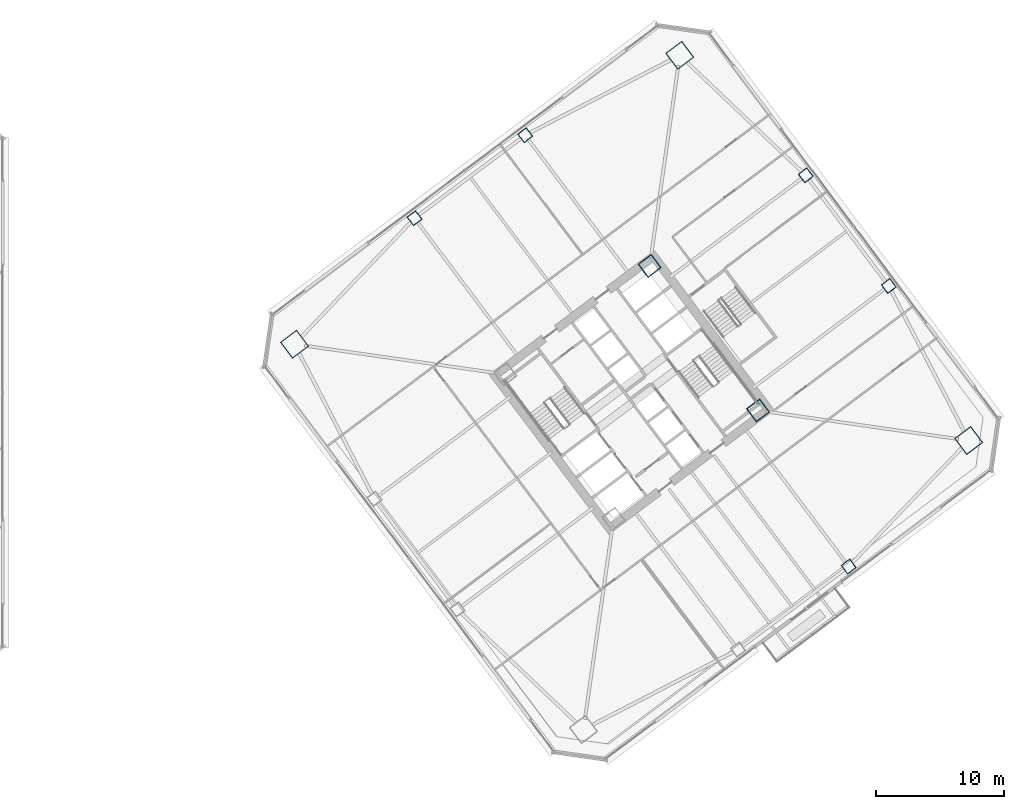
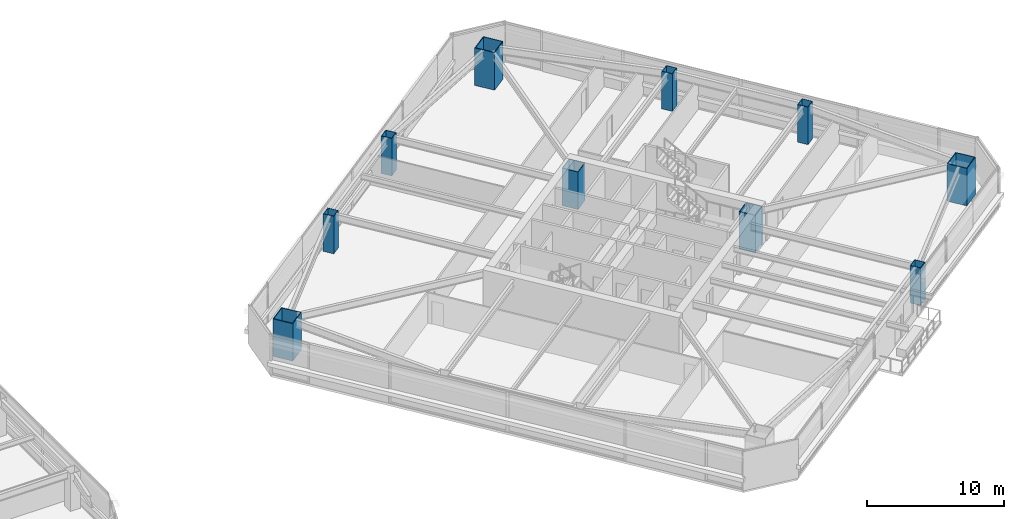
# One storey, part 2 of 51: 10 columns.
"""IFC4 building model written with IfcOpenShell, lengths in metres."""

from ifc_helpers import new_model, si_unit, direction, frame, origin, origin_2d, place, context, subcontext, project, spatial, hollow_rectangle, extrude, material, material_profile, profile_set, type_object, element, save


model = new_model("IFC4")

# Units and contexts
model_context = context("Model", 3, precision=1e-05, world=origin(), true_north=direction((0.0, 1.0)))
body_context = subcontext(model_context, "Body", "Model", "MODEL_VIEW")
ifc_project = project(units=[si_unit("LENGTHUNIT", "METRE"), si_unit("AREAUNIT", "SQUARE_METRE"), si_unit("VOLUMEUNIT", "CUBIC_METRE"), si_unit("PLANEANGLEUNIT", "RADIAN"), si_unit("MASSUNIT", "GRAM", prefix="KILO")], contexts=[model_context])

# Site, building, storey
site_placement = place(None, origin())
site = spatial("IfcSite", under=ifc_project, at=site_placement, CompositionType="ELEMENT")
building_placement = place(site_placement, origin())
building = spatial("IfcBuilding", under=site, at=building_placement, Name="Tashvorn Skyway Center", CompositionType="ELEMENT")
storey_placement = place(building_placement, frame((0.0, 0.0, 49.449951171875)))
storey = spatial("IfcBuildingStorey", under=building, at=storey_placement, Name="L12", CompositionType="ELEMENT", Elevation=49.449951171875)

# Columns
ifc_material = material(Name="Steel ASTM A572 Grade 50", Category="steel")
ifc_material_profile_1 = material_profile(ifc_material, hollow_rectangle(XDim=1.300048828125, YDim=1.300048828125, WallThickness=0.050048828125, at=origin_2d()), Name="BOX1300x1300x50")
ifc_profile_set_1 = profile_set([ifc_material_profile_1], Name="Steel ASTM A572 Grade 50")
column_type_1 = type_object("IfcColumnType", Name="COL-BOX1300x1300x50", PredefinedType="COLUMN", material=ifc_profile_set_1)
for number, where, z_axis, x_axis, name in (
    (1, (123.8701171875, 30.590087890625, 0.0), (0.0, 0.0, 1.0), (0.799999996291, 0.600000004945, 0.0), "Tower 2 L12 Core Corner Column CC-SE"),
    (2, (115.409912109375, 41.8701171875, 0.0), (0.0, 0.0, 1.0), (0.799999996291, 0.600000004945, 0.0), "Tower 2 L12 Core Corner Column CC-NE"),
):
    element("IfcColumn", number, at=place(storey_placement, frame(where, z_axis=z_axis, x_axis=x_axis)), inside=storey, type_object=column_type_1, Name=name, PredefinedType="COLUMN", context=body_context, shape_type="SweptSolid", body=[
        extrude(hollow_rectangle(XDim=1.300048828125, YDim=1.300048828125, WallThickness=0.050048828125, at=origin_2d()), origin(), (0.0, 0.0, 1.0), 3.35009765625),
    ])
ifc_material_profile_2 = material_profile(ifc_material, hollow_rectangle(XDim=1.60009765625, YDim=1.60009765625, WallThickness=0.06005859375, at=origin_2d()), Name="BOX1600x1600x60")
ifc_profile_set_2 = profile_set([ifc_material_profile_2], Name="Steel ASTM A572 Grade 50")
column_type_2 = type_object("IfcColumnType", Name="COL-BOX1600x1600x60", PredefinedType="COLUMN", material=ifc_profile_set_2)
for number, where, z_axis, x_axis, name in (
    (3, (140.320068359375, 28.239990234375, 0.0), (0.0, 0.0, 1.0), (0.799999996291, 0.600000004945, 0.0), "Tower 2 L12 Mega-Column MC-SE"),
    (4, (117.760009765625, 58.320068359375, 0.0), (0.0, 0.0, 1.0), (0.799999996291, 0.600000004945, 0.0), "Tower 2 L12 Mega-Column MC-NE"),
    (5, (87.679931640625, 35.760009765625, 0.0), (0.0, 0.0, 1.0), (0.799999996291, 0.600000004945, 0.0), "Tower 2 L12 Mega-Column MC-NW"),
):
    element("IfcColumn", number, at=place(storey_placement, frame(where, z_axis=z_axis, x_axis=x_axis)), inside=storey, type_object=column_type_2, Name=name, PredefinedType="COLUMN", context=body_context, shape_type="SweptSolid", body=[
        extrude(hollow_rectangle(XDim=1.60009765625, YDim=1.60009765625, WallThickness=0.06005859375, at=origin_2d()), origin(), (0.0, 0.0, 1.0), 3.35009765625),
    ])
ifc_material_profile_3 = material_profile(ifc_material, hollow_rectangle(XDim=0.85009765625, YDim=0.85009765625, WallThickness=0.034912109375, at=origin_2d()), Name="BOX850x850x35")
ifc_profile_set_3 = profile_set([ifc_material_profile_3], Name="Steel ASTM A572 Grade 50")
column_type_3 = type_object("IfcColumnType", Name="COL-BOX850x850x35", PredefinedType="COLUMN", material=ifc_profile_set_3)
for number, where, z_axis, x_axis, name in (
    (6, (130.949951171875, 18.39990234375, 0.0), (0.0, 0.0, 1.0), (0.799999996291, 0.600000004945, 0.0), "Tower 2 L12 Perimeter Column FC-S2"),
    (7, (134.080078125, 40.31005859375, 0.0), (0.0, 0.0, 1.0), (0.799999996291, 0.600000004945, 0.0), "Tower 2 L12 Perimeter Column FC-E1"),
    (8, (127.60009765625, 48.949951171875, 0.0), (0.0, 0.0, 1.0), (0.799999996291, 0.600000004945, 0.0), "Tower 2 L12 Perimeter Column FC-E2"),
    (9, (105.68994140625, 52.080078125, 0.0), (0.0, 0.0, 1.0), (0.799999996291, 0.600000004945, 0.0), "Tower 2 L12 Perimeter Column FC-N1"),
    (10, (97.050048828125, 45.60009765625, 0.0), (0.0, 0.0, 1.0), (0.799999996291, 0.600000004945, 0.0), "Tower 2 L12 Perimeter Column FC-N2"),
):
    element("IfcColumn", number, at=place(storey_placement, frame(where, z_axis=z_axis, x_axis=x_axis)), inside=storey, type_object=column_type_3, Name=name, PredefinedType="COLUMN", context=body_context, shape_type="SweptSolid", body=[
        extrude(hollow_rectangle(XDim=0.85009765625, YDim=0.85009765625, WallThickness=0.034912109375, at=origin_2d()), origin(), (0.0, 0.0, 1.0), 3.35009765625),
    ])

save(model, "model.ifc")
